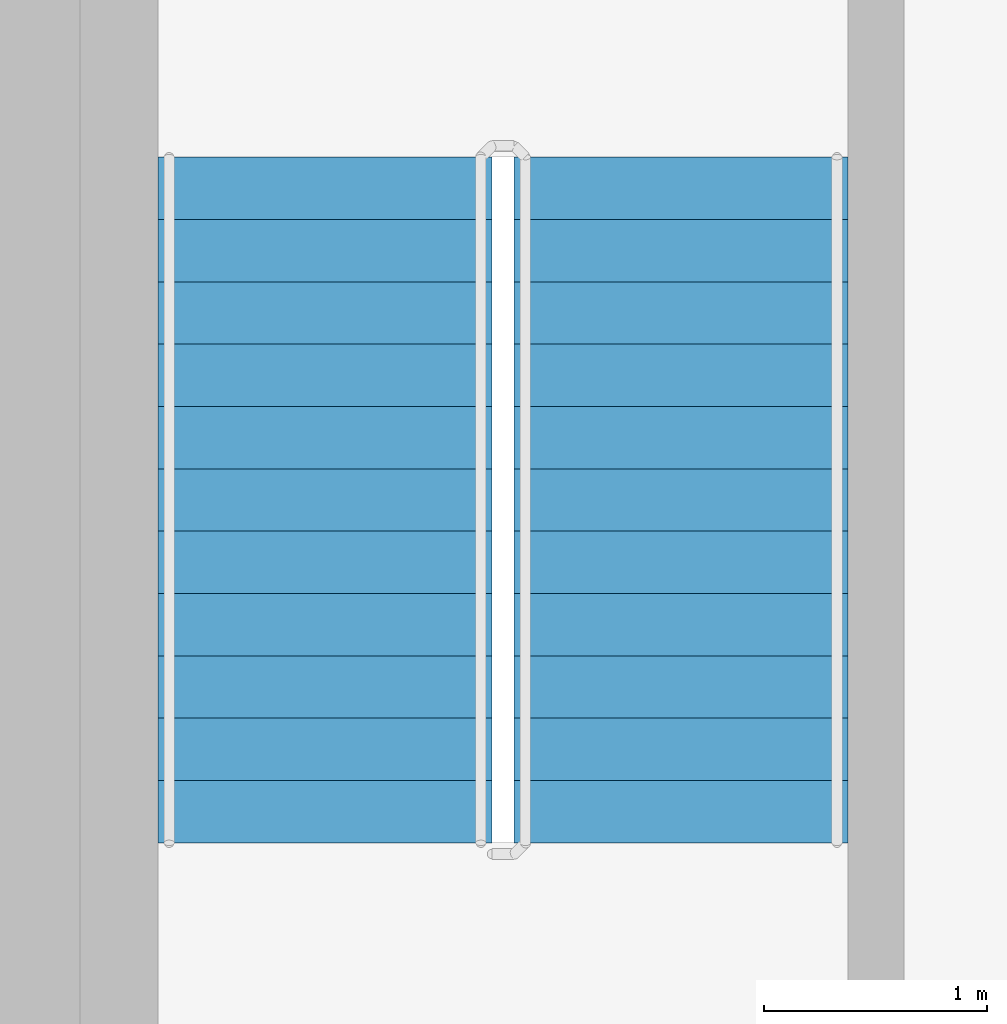
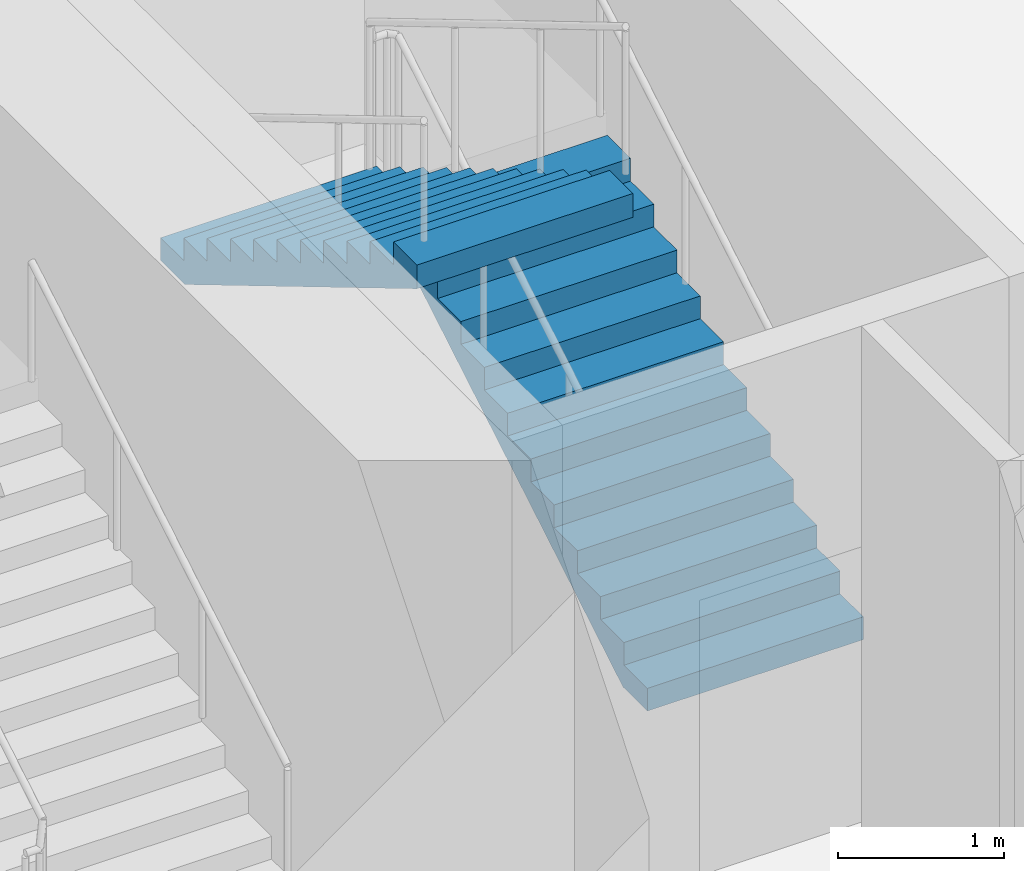
# One storey, part 18 of 26: 2 stair flights, 1 element without a shape of its own.
"""IFC4 building model written with IfcOpenShell, lengths in metres."""

from ifc_helpers import new_model, si_unit, direction, frame, origin, place, context, subcontext, project, spatial, triangles, source, transform, mapped, material, type_object, element, aggregate, save


model = new_model("IFC4")

# Units and contexts
model_context = context("Model", 3, precision=1e-05, world=origin(), true_north=direction((0.0, 1.0)))
body_context = subcontext(model_context, "Body", "Model", "MODEL_VIEW")
ifc_project = project(units=[si_unit("LENGTHUNIT", "METRE"), si_unit("AREAUNIT", "SQUARE_METRE"), si_unit("VOLUMEUNIT", "CUBIC_METRE"), si_unit("PLANEANGLEUNIT", "RADIAN"), si_unit("MASSUNIT", "GRAM", prefix="KILO")], contexts=[model_context])

# Site, building, storey
site_placement = place(None, origin())
site = spatial("IfcSite", under=ifc_project, at=site_placement, CompositionType="ELEMENT")
building_placement = place(site_placement, origin())
building = spatial("IfcBuilding", under=site, at=building_placement, Name="Kilnfold Tower and Market Hall", CompositionType="ELEMENT")
storey_placement = place(building_placement, frame((0.0, 0.0, 104.60009765625)))
storey = spatial("IfcBuildingStorey", under=building, at=storey_placement, Name="L24", CompositionType="ELEMENT", Elevation=104.60009765625)

# Stair, stair flights
ifc_material_1 = material(Name="Concrete C40/50", Category="concrete")
stair_type = type_object("IfcStairType", Name="CORE STAIR 1500", PredefinedType="HALF_TURN_STAIR", material=ifc_material_1)
stair_placement = place(storey_placement, origin())
stair = element("IfcStair", 1, at=stair_placement, inside=storey, type_object=stair_type, Name="L24 ST5", PredefinedType="HALF_TURN_STAIR")
ifc_material_2 = material(Name="Concrete C40/50", Category="concrete")
stair_flight_type = type_object("IfcStairFlightType", Name="CORE STAIR FLIGHT 1500", PredefinedType="STRAIGHT", material=ifc_material_2)
shared_shape = source(origin(), body_context, "Body", "Tessellation", [
    triangles([(0.0, 0.75, 0.0), (0.0, 0.65625, 0.0), (0.0, 0.5625, 0.0), (0.0, 0.46875, 0.0), (0.0, 0.375, 0.0), (0.0, 0.28125, 0.0), (0.0, 0.1875, 0.0), (0.0, 0.09375, 0.0), (0.0, 0.0, 0.0), (0.0, -0.09375, 0.0), (0.0, -0.1875, 0.0), (0.0, -0.28125, 0.0), (0.0, -0.375, 0.0), (0.0, -0.46875, 0.0), (0.0, -0.5625, 0.0), (0.0, -0.65625, 0.0), (0.0, -0.75, 0.0), (0.0, 0.75, 0.166748046875), (0.0, 0.65625, 0.166748046875), (0.0, 0.5625, 0.166748046875), (0.0, 0.46875, 0.166748046875), (0.0, 0.375, 0.166748046875), (0.0, 0.28125, 0.166748046875), (0.0, 0.1875, 0.166748046875), (0.0, 0.09375, 0.166748046875), (0.0, 0.0, 0.166748046875), (0.0, -0.09375, 0.166748046875), (0.0, -0.1875, 0.166748046875), (0.0, -0.28125, 0.166748046875), (0.0, -0.375, 0.166748046875), (0.0, -0.46875, 0.166748046875), (0.0, -0.5625, 0.166748046875), (0.0, -0.65625, 0.166748046875), (0.0, -0.75, 0.166748046875), (0.280029296875, 0.75, 0.166748046875), (0.280029296875, 0.65625, 0.166748046875), (0.280029296875, 0.5625, 0.166748046875), (0.280029296875, 0.46875, 0.166748046875), (0.280029296875, 0.375, 0.166748046875), (0.280029296875, 0.28125, 0.166748046875), (0.280029296875, 0.1875, 0.166748046875), (0.280029296875, 0.09375, 0.166748046875), (0.280029296875, 0.0, 0.166748046875), (0.280029296875, -0.09375, 0.166748046875), (0.280029296875, -0.1875, 0.166748046875), (0.280029296875, -0.28125, 0.166748046875), (0.280029296875, -0.375, 0.166748046875), (0.280029296875, -0.46875, 0.166748046875), (0.280029296875, -0.5625, 0.166748046875), (0.280029296875, -0.65625, 0.166748046875), (0.280029296875, -0.75, 0.166748046875), (0.280029296875, 0.75, 0.333251953125), (0.280029296875, 0.65625, 0.333251953125), (0.280029296875, 0.5625, 0.333251953125), (0.280029296875, 0.46875, 0.333251953125), (0.280029296875, 0.375, 0.333251953125), (0.280029296875, 0.28125, 0.333251953125), (0.280029296875, 0.1875, 0.333251953125), (0.280029296875, 0.09375, 0.333251953125), (0.280029296875, 0.0, 0.333251953125), (0.280029296875, -0.09375, 0.333251953125), (0.280029296875, -0.1875, 0.333251953125), (0.280029296875, -0.28125, 0.333251953125), (0.280029296875, -0.375, 0.333251953125), (0.280029296875, -0.46875, 0.333251953125), (0.280029296875, -0.5625, 0.333251953125), (0.280029296875, -0.65625, 0.333251953125), (0.280029296875, -0.75, 0.333251953125), (0.56005859375, 0.75, 0.333251953125), (0.56005859375, 0.65625, 0.333251953125), (0.56005859375, 0.5625, 0.333251953125), (0.56005859375, 0.46875, 0.333251953125), (0.56005859375, 0.375, 0.333251953125), (0.56005859375, 0.28125, 0.333251953125), (0.56005859375, 0.1875, 0.333251953125), (0.56005859375, 0.09375, 0.333251953125), (0.56005859375, 0.0, 0.333251953125), (0.56005859375, -0.09375, 0.333251953125), (0.56005859375, -0.1875, 0.333251953125), (0.56005859375, -0.28125, 0.333251953125), (0.56005859375, -0.375, 0.333251953125), (0.56005859375, -0.46875, 0.333251953125), (0.56005859375, -0.5625, 0.333251953125), (0.56005859375, -0.65625, 0.333251953125), (0.56005859375, -0.75, 0.333251953125), (0.56005859375, 0.75, 0.5), (0.56005859375, 0.65625, 0.5), (0.56005859375, 0.5625, 0.5), (0.56005859375, 0.46875, 0.5), (0.56005859375, 0.375, 0.5), (0.56005859375, 0.28125, 0.5), (0.56005859375, 0.1875, 0.5), (0.56005859375, 0.09375, 0.5), (0.56005859375, 0.0, 0.5), (0.56005859375, -0.09375, 0.5), (0.56005859375, -0.1875, 0.5), (0.56005859375, -0.28125, 0.5), (0.56005859375, -0.375, 0.5), (0.56005859375, -0.46875, 0.5), (0.56005859375, -0.5625, 0.5), (0.56005859375, -0.65625, 0.5), (0.56005859375, -0.75, 0.5), (0.840087890625, 0.75, 0.5), (0.840087890625, 0.65625, 0.5), (0.840087890625, 0.5625, 0.5), (0.840087890625, 0.46875, 0.5), (0.840087890625, 0.375, 0.5), (0.840087890625, 0.28125, 0.5), (0.840087890625, 0.1875, 0.5), (0.840087890625, 0.09375, 0.5), (0.840087890625, 0.0, 0.5), (0.840087890625, -0.09375, 0.5), (0.840087890625, -0.1875, 0.5), (0.840087890625, -0.28125, 0.5), (0.840087890625, -0.375, 0.5), (0.840087890625, -0.46875, 0.5), (0.840087890625, -0.5625, 0.5), (0.840087890625, -0.65625, 0.5), (0.840087890625, -0.75, 0.5), (0.840087890625, 0.75, 0.666748046875), (0.840087890625, 0.65625, 0.666748046875), (0.840087890625, 0.5625, 0.666748046875), (0.840087890625, 0.46875, 0.666748046875), (0.840087890625, 0.375, 0.666748046875), (0.840087890625, 0.28125, 0.666748046875), (0.840087890625, 0.1875, 0.666748046875), (0.840087890625, 0.09375, 0.666748046875), (0.840087890625, 0.0, 0.666748046875), (0.840087890625, -0.09375, 0.666748046875), (0.840087890625, -0.1875, 0.666748046875), (0.840087890625, -0.28125, 0.666748046875), (0.840087890625, -0.375, 0.666748046875), (0.840087890625, -0.46875, 0.666748046875), (0.840087890625, -0.5625, 0.666748046875), (0.840087890625, -0.65625, 0.666748046875), (0.840087890625, -0.75, 0.666748046875), (1.1201171875, 0.75, 0.666748046875), (1.1201171875, 0.65625, 0.666748046875), (1.1201171875, 0.5625, 0.666748046875), (1.1201171875, 0.46875, 0.666748046875), (1.1201171875, 0.375, 0.666748046875), (1.1201171875, 0.28125, 0.666748046875), (1.1201171875, 0.1875, 0.666748046875), (1.1201171875, 0.09375, 0.666748046875), (1.1201171875, 0.0, 0.666748046875), (1.1201171875, -0.09375, 0.666748046875), (1.1201171875, -0.1875, 0.666748046875), (1.1201171875, -0.28125, 0.666748046875), (1.1201171875, -0.375, 0.666748046875), (1.1201171875, -0.46875, 0.666748046875), (1.1201171875, -0.5625, 0.666748046875), (1.1201171875, -0.65625, 0.666748046875), (1.1201171875, -0.75, 0.666748046875), (1.1201171875, 0.75, 0.833251953125), (1.1201171875, 0.65625, 0.833251953125), (1.1201171875, 0.5625, 0.833251953125), (1.1201171875, 0.46875, 0.833251953125), (1.1201171875, 0.375, 0.833251953125), (1.1201171875, 0.28125, 0.833251953125), (1.1201171875, 0.1875, 0.833251953125), (1.1201171875, 0.09375, 0.833251953125), (1.1201171875, 0.0, 0.833251953125), (1.1201171875, -0.09375, 0.833251953125), (1.1201171875, -0.1875, 0.833251953125), (1.1201171875, -0.28125, 0.833251953125), (1.1201171875, -0.375, 0.833251953125), (1.1201171875, -0.46875, 0.833251953125), (1.1201171875, -0.5625, 0.833251953125), (1.1201171875, -0.65625, 0.833251953125), (1.1201171875, -0.75, 0.833251953125), (1.39990234375, 0.75, 0.833251953125), (1.39990234375, 0.65625, 0.833251953125), (1.39990234375, 0.5625, 0.833251953125), (1.39990234375, 0.46875, 0.833251953125), (1.39990234375, 0.375, 0.833251953125), (1.39990234375, 0.28125, 0.833251953125), (1.39990234375, 0.1875, 0.833251953125), (1.39990234375, 0.09375, 0.833251953125), (1.39990234375, 0.0, 0.833251953125), (1.39990234375, -0.09375, 0.833251953125), (1.39990234375, -0.1875, 0.833251953125), (1.39990234375, -0.28125, 0.833251953125), (1.39990234375, -0.375, 0.833251953125), (1.39990234375, -0.46875, 0.833251953125), (1.39990234375, -0.5625, 0.833251953125), (1.39990234375, -0.65625, 0.833251953125), (1.39990234375, -0.75, 0.833251953125), (1.39990234375, 0.75, 1.0), (1.39990234375, 0.65625, 1.0), (1.39990234375, 0.5625, 1.0), (1.39990234375, 0.46875, 1.0), (1.39990234375, 0.375, 1.0), (1.39990234375, 0.28125, 1.0), (1.39990234375, 0.1875, 1.0), (1.39990234375, 0.09375, 1.0), (1.39990234375, 0.0, 1.0), (1.39990234375, -0.09375, 1.0), (1.39990234375, -0.1875, 1.0), (1.39990234375, -0.28125, 1.0), (1.39990234375, -0.375, 1.0), (1.39990234375, -0.46875, 1.0), (1.39990234375, -0.5625, 1.0), (1.39990234375, -0.65625, 1.0), (1.39990234375, -0.75, 1.0), (1.679931640625, 0.75, 1.0), (1.679931640625, 0.65625, 1.0), (1.679931640625, 0.5625, 1.0), (1.679931640625, 0.46875, 1.0), (1.679931640625, 0.375, 1.0), (1.679931640625, 0.28125, 1.0), (1.679931640625, 0.1875, 1.0), (1.679931640625, 0.09375, 1.0), (1.679931640625, 0.0, 1.0), (1.679931640625, -0.09375, 1.0), (1.679931640625, -0.1875, 1.0), (1.679931640625, -0.28125, 1.0), (1.679931640625, -0.375, 1.0), (1.679931640625, -0.46875, 1.0), (1.679931640625, -0.5625, 1.0), (1.679931640625, -0.65625, 1.0), (1.679931640625, -0.75, 1.0), (1.679931640625, 0.75, 1.166748046875), (1.679931640625, 0.65625, 1.166748046875), (1.679931640625, 0.5625, 1.166748046875), (1.679931640625, 0.46875, 1.166748046875), (1.679931640625, 0.375, 1.166748046875), (1.679931640625, 0.28125, 1.166748046875), (1.679931640625, 0.1875, 1.166748046875), (1.679931640625, 0.09375, 1.166748046875), (1.679931640625, 0.0, 1.166748046875), (1.679931640625, -0.09375, 1.166748046875), (1.679931640625, -0.1875, 1.166748046875), (1.679931640625, -0.28125, 1.166748046875), (1.679931640625, -0.375, 1.166748046875), (1.679931640625, -0.46875, 1.166748046875), (1.679931640625, -0.5625, 1.166748046875), (1.679931640625, -0.65625, 1.166748046875), (1.679931640625, -0.75, 1.166748046875), (1.9599609375, 0.75, 1.166748046875), (1.9599609375, 0.65625, 1.166748046875), (1.9599609375, 0.5625, 1.166748046875), (1.9599609375, 0.46875, 1.166748046875), (1.9599609375, 0.375, 1.166748046875), (1.9599609375, 0.28125, 1.166748046875), (1.9599609375, 0.1875, 1.166748046875), (1.9599609375, 0.09375, 1.166748046875), (1.9599609375, 0.0, 1.166748046875), (1.9599609375, -0.09375, 1.166748046875), (1.9599609375, -0.1875, 1.166748046875), (1.9599609375, -0.28125, 1.166748046875), (1.9599609375, -0.375, 1.166748046875), (1.9599609375, -0.46875, 1.166748046875), (1.9599609375, -0.5625, 1.166748046875), (1.9599609375, -0.65625, 1.166748046875), (1.9599609375, -0.75, 1.166748046875), (1.9599609375, 0.75, 1.333251953125), (1.9599609375, 0.65625, 1.333251953125), (1.9599609375, 0.5625, 1.333251953125), (1.9599609375, 0.46875, 1.333251953125), (1.9599609375, 0.375, 1.333251953125), (1.9599609375, 0.28125, 1.333251953125), (1.9599609375, 0.1875, 1.333251953125), (1.9599609375, 0.09375, 1.333251953125), (1.9599609375, 0.0, 1.333251953125), (1.9599609375, -0.09375, 1.333251953125), (1.9599609375, -0.1875, 1.333251953125), (1.9599609375, -0.28125, 1.333251953125), (1.9599609375, -0.375, 1.333251953125), (1.9599609375, -0.46875, 1.333251953125), (1.9599609375, -0.5625, 1.333251953125), (1.9599609375, -0.65625, 1.333251953125), (1.9599609375, -0.75, 1.333251953125), (2.239990234375, 0.75, 1.333251953125), (2.239990234375, 0.65625, 1.333251953125), (2.239990234375, 0.5625, 1.333251953125), (2.239990234375, 0.46875, 1.333251953125), (2.239990234375, 0.375, 1.333251953125), (2.239990234375, 0.28125, 1.333251953125), (2.239990234375, 0.1875, 1.333251953125), (2.239990234375, 0.09375, 1.333251953125), (2.239990234375, 0.0, 1.333251953125), (2.239990234375, -0.09375, 1.333251953125), (2.239990234375, -0.1875, 1.333251953125), (2.239990234375, -0.28125, 1.333251953125), (2.239990234375, -0.375, 1.333251953125), (2.239990234375, -0.46875, 1.333251953125), (2.239990234375, -0.5625, 1.333251953125), (2.239990234375, -0.65625, 1.333251953125), (2.239990234375, -0.75, 1.333251953125), (2.239990234375, 0.75, 1.5), (2.239990234375, 0.65625, 1.5), (2.239990234375, 0.5625, 1.5), (2.239990234375, 0.46875, 1.5), (2.239990234375, 0.375, 1.5), (2.239990234375, 0.28125, 1.5), (2.239990234375, 0.1875, 1.5), (2.239990234375, 0.09375, 1.5), (2.239990234375, 0.0, 1.5), (2.239990234375, -0.09375, 1.5), (2.239990234375, -0.1875, 1.5), (2.239990234375, -0.28125, 1.5), (2.239990234375, -0.375, 1.5), (2.239990234375, -0.46875, 1.5), (2.239990234375, -0.5625, 1.5), (2.239990234375, -0.65625, 1.5), (2.239990234375, -0.75, 1.5), (2.52001953125, 0.75, 1.5), (2.52001953125, 0.65625, 1.5), (2.52001953125, 0.5625, 1.5), (2.52001953125, 0.46875, 1.5), (2.52001953125, 0.375, 1.5), (2.52001953125, 0.28125, 1.5), (2.52001953125, 0.1875, 1.5), (2.52001953125, 0.09375, 1.5), (2.52001953125, 0.0, 1.5), (2.52001953125, -0.09375, 1.5), (2.52001953125, -0.1875, 1.5), (2.52001953125, -0.28125, 1.5), (2.52001953125, -0.375, 1.5), (2.52001953125, -0.46875, 1.5), (2.52001953125, -0.5625, 1.5), (2.52001953125, -0.65625, 1.5), (2.52001953125, -0.75, 1.5), (2.52001953125, 0.75, 1.666748046875), (2.52001953125, 0.65625, 1.666748046875), (2.52001953125, 0.5625, 1.666748046875), (2.52001953125, 0.46875, 1.666748046875), (2.52001953125, 0.375, 1.666748046875), (2.52001953125, 0.28125, 1.666748046875), (2.52001953125, 0.1875, 1.666748046875), (2.52001953125, 0.09375, 1.666748046875), (2.52001953125, 0.0, 1.666748046875), (2.52001953125, -0.09375, 1.666748046875), (2.52001953125, -0.1875, 1.666748046875), (2.52001953125, -0.28125, 1.666748046875), (2.52001953125, -0.375, 1.666748046875), (2.52001953125, -0.46875, 1.666748046875), (2.52001953125, -0.5625, 1.666748046875), (2.52001953125, -0.65625, 1.666748046875), (2.52001953125, -0.75, 1.666748046875), (2.800048828125, 0.75, 1.666748046875), (2.800048828125, 0.65625, 1.666748046875), (2.800048828125, 0.5625, 1.666748046875), (2.800048828125, 0.46875, 1.666748046875), (2.800048828125, 0.375, 1.666748046875), (2.800048828125, 0.28125, 1.666748046875), (2.800048828125, 0.1875, 1.666748046875), (2.800048828125, 0.09375, 1.666748046875), (2.800048828125, 0.0, 1.666748046875), (2.800048828125, -0.09375, 1.666748046875), (2.800048828125, -0.1875, 1.666748046875), (2.800048828125, -0.28125, 1.666748046875), (2.800048828125, -0.375, 1.666748046875), (2.800048828125, -0.46875, 1.666748046875), (2.800048828125, -0.5625, 1.666748046875), (2.800048828125, -0.65625, 1.666748046875), (2.800048828125, -0.75, 1.666748046875), (2.800048828125, 0.75, 1.833251953125), (2.800048828125, 0.65625, 1.833251953125), (2.800048828125, 0.5625, 1.833251953125), (2.800048828125, 0.46875, 1.833251953125), (2.800048828125, 0.375, 1.833251953125), (2.800048828125, 0.28125, 1.833251953125), (2.800048828125, 0.1875, 1.833251953125), (2.800048828125, 0.09375, 1.833251953125), (2.800048828125, 0.0, 1.833251953125), (2.800048828125, -0.09375, 1.833251953125), (2.800048828125, -0.1875, 1.833251953125), (2.800048828125, -0.28125, 1.833251953125), (2.800048828125, -0.375, 1.833251953125), (2.800048828125, -0.46875, 1.833251953125), (2.800048828125, -0.5625, 1.833251953125), (2.800048828125, -0.65625, 1.833251953125), (2.800048828125, -0.75, 1.833251953125), (3.080078125, 0.75, 1.833251953125), (3.080078125, 0.65625, 1.833251953125), (3.080078125, 0.5625, 1.833251953125), (3.080078125, 0.46875, 1.833251953125), (3.080078125, 0.375, 1.833251953125), (3.080078125, 0.28125, 1.833251953125), (3.080078125, 0.1875, 1.833251953125), (3.080078125, 0.09375, 1.833251953125), (3.080078125, 0.0, 1.833251953125), (3.080078125, -0.09375, 1.833251953125), (3.080078125, -0.1875, 1.833251953125), (3.080078125, -0.28125, 1.833251953125), (3.080078125, -0.375, 1.833251953125), (3.080078125, -0.46875, 1.833251953125), (3.080078125, -0.5625, 1.833251953125), (3.080078125, -0.65625, 1.833251953125), (3.080078125, -0.75, 1.833251953125), (3.080078125, 0.75, 1.658935546875), (3.080078125, 0.65625, 1.658935546875), (3.080078125, 0.5625, 1.658935546875), (3.080078125, 0.46875, 1.658935546875), (3.080078125, 0.375, 1.658935546875), (3.080078125, 0.28125, 1.658935546875), (3.080078125, 0.1875, 1.658935546875), (3.080078125, 0.09375, 1.658935546875), (3.080078125, 0.0, 1.658935546875), (3.080078125, -0.09375, 1.658935546875), (3.080078125, -0.1875, 1.658935546875), (3.080078125, -0.28125, 1.658935546875), (3.080078125, -0.375, 1.658935546875), (3.080078125, -0.46875, 1.658935546875), (3.080078125, -0.5625, 1.658935546875), (3.080078125, -0.65625, 1.658935546875), (3.080078125, -0.75, 1.658935546875), (0.29296875, 0.75, 0.0), (0.29296875, 0.65625, 0.0), (0.29296875, 0.5625, 0.0), (0.29296875, 0.46875, 0.0), (0.29296875, 0.375, 0.0), (0.29296875, 0.28125, 0.0), (0.29296875, 0.1875, 0.0), (0.29296875, 0.09375, 0.0), (0.29296875, 0.0, 0.0), (0.29296875, -0.09375, 0.0), (0.29296875, -0.1875, 0.0), (0.29296875, -0.28125, 0.0), (0.29296875, -0.375, 0.0), (0.29296875, -0.46875, 0.0), (0.29296875, -0.5625, 0.0), (0.29296875, -0.65625, 0.0), (0.29296875, -0.75, 0.0)], [[1, 392, 409], [17, 425, 408], [392, 358, 375], [408, 391, 374], [392, 341, 358], [408, 374, 357], [392, 324, 341], [408, 357, 340], [392, 307, 324], [408, 340, 323], [307, 273, 290], [323, 306, 289], [392, 273, 307], [408, 323, 289], [273, 239, 256], [289, 272, 255], [392, 239, 273], [408, 289, 255], [239, 205, 222], [255, 238, 221], [392, 205, 239], [408, 255, 221], [205, 171, 188], [221, 204, 187], [392, 171, 205], [408, 221, 187], [171, 137, 154], [187, 170, 153], [392, 137, 171], [408, 187, 153], [137, 103, 120], [153, 136, 119], [392, 103, 137], [408, 153, 119], [103, 69, 86], [119, 102, 85], [392, 69, 103], [408, 119, 85], [1, 69, 392], [17, 408, 85], [69, 35, 52], [85, 68, 51], [1, 35, 69], [17, 85, 51], [35, 1, 18], [51, 34, 17], [1, 19, 18], [1, 2, 19], [2, 20, 19], [2, 3, 20], [3, 21, 20], [3, 4, 21], [4, 22, 21], [4, 5, 22], [5, 23, 22], [5, 6, 23], [6, 24, 23], [6, 7, 24], [7, 25, 24], [7, 8, 25], [8, 26, 25], [8, 9, 26], [9, 27, 26], [9, 10, 27], [10, 28, 27], [10, 11, 28], [11, 29, 28], [11, 12, 29], [12, 30, 29], [12, 13, 30], [13, 31, 30], [13, 14, 31], [14, 32, 31], [14, 15, 32], [15, 33, 32], [15, 16, 33], [16, 34, 33], [16, 17, 34], [18, 36, 35], [18, 19, 36], [19, 37, 36], [19, 20, 37], [20, 38, 37], [20, 21, 38], [21, 39, 38], [21, 22, 39], [22, 40, 39], [22, 23, 40], [23, 41, 40], [23, 24, 41], [24, 42, 41], [24, 25, 42], [25, 43, 42], [25, 26, 43], [26, 44, 43], [26, 27, 44], [27, 45, 44], [27, 28, 45], [28, 46, 45], [28, 29, 46], [29, 47, 46], [29, 30, 47], [30, 48, 47], [30, 31, 48], [31, 49, 48], [31, 32, 49], [32, 50, 49], [32, 33, 50], [33, 51, 50], [33, 34, 51], [35, 53, 52], [35, 36, 53], [36, 54, 53], [36, 37, 54], [37, 55, 54], [37, 38, 55], [38, 56, 55], [38, 39, 56], [39, 57, 56], [39, 40, 57], [40, 58, 57], [40, 41, 58], [41, 59, 58], [41, 42, 59], [42, 60, 59], [42, 43, 60], [43, 61, 60], [43, 44, 61], [44, 62, 61], [44, 45, 62], [45, 63, 62], [45, 46, 63], [46, 64, 63], [46, 47, 64], [47, 65, 64], [47, 48, 65], [48, 66, 65], [48, 49, 66], [49, 67, 66], [49, 50, 67], [50, 68, 67], [50, 51, 68], [52, 70, 69], [52, 53, 70], [53, 71, 70], [53, 54, 71], [54, 72, 71], [54, 55, 72], [55, 73, 72], [55, 56, 73], [56, 74, 73], [56, 57, 74], [57, 75, 74], [57, 58, 75], [58, 76, 75], [58, 59, 76], [59, 77, 76], [59, 60, 77], [60, 78, 77], [60, 61, 78], [61, 79, 78], [61, 62, 79], [62, 80, 79], [62, 63, 80], [63, 81, 80], [63, 64, 81], [64, 82, 81], [64, 65, 82], [65, 83, 82], [65, 66, 83], [66, 84, 83], [66, 67, 84], [67, 85, 84], [67, 68, 85], [69, 87, 86], [69, 70, 87], [70, 88, 87], [70, 71, 88], [71, 89, 88], [71, 72, 89], [72, 90, 89], [72, 73, 90], [73, 91, 90], [73, 74, 91], [74, 92, 91], [74, 75, 92], [75, 93, 92], [75, 76, 93], [76, 94, 93], [76, 77, 94], [77, 95, 94], [77, 78, 95], [78, 96, 95], [78, 79, 96], [79, 97, 96], [79, 80, 97], [80, 98, 97], [80, 81, 98], [81, 99, 98], [81, 82, 99], [82, 100, 99], [82, 83, 100], [83, 101, 100], [83, 84, 101], [84, 102, 101], [84, 85, 102], [86, 104, 103], [86, 87, 104], [87, 105, 104], [87, 88, 105], [88, 106, 105], [88, 89, 106], [89, 107, 106], [89, 90, 107], [90, 108, 107], [90, 91, 108], [91, 109, 108], [91, 92, 109], [92, 110, 109], [92, 93, 110], [93, 111, 110], [93, 94, 111], [94, 112, 111], [94, 95, 112], [95, 113, 112], [95, 96, 113], [96, 114, 113], [96, 97, 114], [97, 115, 114], [97, 98, 115], [98, 116, 115], [98, 99, 116], [99, 117, 116], [99, 100, 117], [100, 118, 117], [100, 101, 118], [101, 119, 118], [101, 102, 119], [103, 121, 120], [103, 104, 121], [104, 122, 121], [104, 105, 122], [105, 123, 122], [105, 106, 123], [106, 124, 123], [106, 107, 124], [107, 125, 124], [107, 108, 125], [108, 126, 125], [108, 109, 126], [109, 127, 126], [109, 110, 127], [110, 128, 127], [110, 111, 128], [111, 129, 128], [111, 112, 129], [112, 130, 129], [112, 113, 130], [113, 131, 130], [113, 114, 131], [114, 132, 131], [114, 115, 132], [115, 133, 132], [115, 116, 133], [116, 134, 133], [116, 117, 134], [117, 135, 134], [117, 118, 135], [118, 136, 135], [118, 119, 136], [120, 138, 137], [120, 121, 138], [121, 139, 138], [121, 122, 139], [122, 140, 139], [122, 123, 140], [123, 141, 140], [123, 124, 141], [124, 142, 141], [124, 125, 142], [125, 143, 142], [125, 126, 143], [126, 144, 143], [126, 127, 144], [127, 145, 144], [127, 128, 145], [128, 146, 145], [128, 129, 146], [129, 147, 146], [129, 130, 147], [130, 148, 147], [130, 131, 148], [131, 149, 148], [131, 132, 149], [132, 150, 149], [132, 133, 150], [133, 151, 150], [133, 134, 151], [134, 152, 151], [134, 135, 152], [135, 153, 152], [135, 136, 153], [137, 155, 154], [137, 138, 155], [138, 156, 155], [138, 139, 156], [139, 157, 156], [139, 140, 157], [140, 158, 157], [140, 141, 158], [141, 159, 158], [141, 142, 159], [142, 160, 159], [142, 143, 160], [143, 161, 160], [143, 144, 161], [144, 162, 161], [144, 145, 162], [145, 163, 162], [145, 146, 163], [146, 164, 163], [146, 147, 164], [147, 165, 164], [147, 148, 165], [148, 166, 165], [148, 149, 166], [149, 167, 166], [149, 150, 167], [150, 168, 167], [150, 151, 168], [151, 169, 168], [151, 152, 169], [152, 170, 169], [152, 153, 170], [154, 172, 171], [154, 155, 172], [155, 173, 172], [155, 156, 173], [156, 174, 173], [156, 157, 174], [157, 175, 174], [157, 158, 175], [158, 176, 175], [158, 159, 176], [159, 177, 176], [159, 160, 177], [160, 178, 177], [160, 161, 178], [161, 179, 178], [161, 162, 179], [162, 180, 179], [162, 163, 180], [163, 181, 180], [163, 164, 181], [164, 182, 181], [164, 165, 182], [165, 183, 182], [165, 166, 183], [166, 184, 183], [166, 167, 184], [167, 185, 184], [167, 168, 185], [168, 186, 185], [168, 169, 186], [169, 187, 186], [169, 170, 187], [171, 189, 188], [171, 172, 189], [172, 190, 189], [172, 173, 190], [173, 191, 190], [173, 174, 191], [174, 192, 191], [174, 175, 192], [175, 193, 192], [175, 176, 193], [176, 194, 193], [176, 177, 194], [177, 195, 194], [177, 178, 195], [178, 196, 195], [178, 179, 196], [179, 197, 196], [179, 180, 197], [180, 198, 197], [180, 181, 198], [181, 199, 198], [181, 182, 199], [182, 200, 199], [182, 183, 200], [183, 201, 200], [183, 184, 201], [184, 202, 201], [184, 185, 202], [185, 203, 202], [185, 186, 203], [186, 204, 203], [186, 187, 204], [188, 206, 205], [188, 189, 206], [189, 207, 206], [189, 190, 207], [190, 208, 207], [190, 191, 208], [191, 209, 208], [191, 192, 209], [192, 210, 209], [192, 193, 210], [193, 211, 210], [193, 194, 211], [194, 212, 211], [194, 195, 212], [195, 213, 212], [195, 196, 213], [196, 214, 213], [196, 197, 214], [197, 215, 214], [197, 198, 215], [198, 216, 215], [198, 199, 216], [199, 217, 216], [199, 200, 217], [200, 218, 217], [200, 201, 218], [201, 219, 218], [201, 202, 219], [202, 220, 219], [202, 203, 220], [203, 221, 220], [203, 204, 221], [205, 223, 222], [205, 206, 223], [206, 224, 223], [206, 207, 224], [207, 225, 224], [207, 208, 225], [208, 226, 225], [208, 209, 226], [209, 227, 226], [209, 210, 227], [210, 228, 227], [210, 211, 228], [211, 229, 228], [211, 212, 229], [212, 230, 229], [212, 213, 230], [213, 231, 230], [213, 214, 231], [214, 232, 231], [214, 215, 232], [215, 233, 232], [215, 216, 233], [216, 234, 233], [216, 217, 234], [217, 235, 234], [217, 218, 235], [218, 236, 235], [218, 219, 236], [219, 237, 236], [219, 220, 237], [220, 238, 237], [220, 221, 238], [222, 240, 239], [222, 223, 240], [223, 241, 240], [223, 224, 241], [224, 242, 241], [224, 225, 242], [225, 243, 242], [225, 226, 243], [226, 244, 243], [226, 227, 244], [227, 245, 244], [227, 228, 245], [228, 246, 245], [228, 229, 246], [229, 247, 246], [229, 230, 247], [230, 248, 247], [230, 231, 248], [231, 249, 248], [231, 232, 249], [232, 250, 249], [232, 233, 250], [233, 251, 250], [233, 234, 251], [234, 252, 251], [234, 235, 252], [235, 253, 252], [235, 236, 253], [236, 254, 253], [236, 237, 254], [237, 255, 254], [237, 238, 255], [239, 257, 256], [239, 240, 257], [240, 258, 257], [240, 241, 258], [241, 259, 258], [241, 242, 259], [242, 260, 259], [242, 243, 260], [243, 261, 260], [243, 244, 261], [244, 262, 261], [244, 245, 262], [245, 263, 262], [245, 246, 263], [246, 264, 263], [246, 247, 264], [247, 265, 264], [247, 248, 265], [248, 266, 265], [248, 249, 266], [249, 267, 266], [249, 250, 267], [250, 268, 267], [250, 251, 268], [251, 269, 268], [251, 252, 269], [252, 270, 269], [252, 253, 270], [253, 271, 270], [253, 254, 271], [254, 272, 271], [254, 255, 272], [256, 274, 273], [256, 257, 274], [257, 275, 274], [257, 258, 275], [258, 276, 275], [258, 259, 276], [259, 277, 276], [259, 260, 277], [260, 278, 277], [260, 261, 278], [261, 279, 278], [261, 262, 279], [262, 280, 279], [262, 263, 280], [263, 281, 280], [263, 264, 281], [264, 282, 281], [264, 265, 282], [265, 283, 282], [265, 266, 283], [266, 284, 283], [266, 267, 284], [267, 285, 284], [267, 268, 285], [268, 286, 285], [268, 269, 286], [269, 287, 286], [269, 270, 287], [270, 288, 287], [270, 271, 288], [271, 289, 288], [271, 272, 289], [273, 291, 290], [273, 274, 291], [274, 292, 291], [274, 275, 292], [275, 293, 292], [275, 276, 293], [276, 294, 293], [276, 277, 294], [277, 295, 294], [277, 278, 295], [278, 296, 295], [278, 279, 296], [279, 297, 296], [279, 280, 297], [280, 298, 297], [280, 281, 298], [281, 299, 298], [281, 282, 299], [282, 300, 299], [282, 283, 300], [283, 301, 300], [283, 284, 301], [284, 302, 301], [284, 285, 302], [285, 303, 302], [285, 286, 303], [286, 304, 303], [286, 287, 304], [287, 305, 304], [287, 288, 305], [288, 306, 305], [288, 289, 306], [290, 308, 307], [290, 291, 308], [291, 309, 308], [291, 292, 309], [292, 310, 309], [292, 293, 310], [293, 311, 310], [293, 294, 311], [294, 312, 311], [294, 295, 312], [295, 313, 312], [295, 296, 313], [296, 314, 313], [296, 297, 314], [297, 315, 314], [297, 298, 315], [298, 316, 315], [298, 299, 316], [299, 317, 316], [299, 300, 317], [300, 318, 317], [300, 301, 318], [301, 319, 318], [301, 302, 319], [302, 320, 319], [302, 303, 320], [303, 321, 320], [303, 304, 321], [304, 322, 321], [304, 305, 322], [305, 323, 322], [305, 306, 323], [307, 325, 324], [307, 308, 325], [308, 326, 325], [308, 309, 326], [309, 327, 326], [309, 310, 327], [310, 328, 327], [310, 311, 328], [311, 329, 328], [311, 312, 329], [312, 330, 329], [312, 313, 330], [313, 331, 330], [313, 314, 331], [314, 332, 331], [314, 315, 332], [315, 333, 332], [315, 316, 333], [316, 334, 333], [316, 317, 334], [317, 335, 334], [317, 318, 335], [318, 336, 335], [318, 319, 336], [319, 337, 336], [319, 320, 337], [320, 338, 337], [320, 321, 338], [321, 339, 338], [321, 322, 339], [322, 340, 339], [322, 323, 340], [324, 342, 341], [324, 325, 342], [325, 343, 342], [325, 326, 343], [326, 344, 343], [326, 327, 344], [327, 345, 344], [327, 328, 345], [328, 346, 345], [328, 329, 346], [329, 347, 346], [329, 330, 347], [330, 348, 347], [330, 331, 348], [331, 349, 348], [331, 332, 349], [332, 350, 349], [332, 333, 350], [333, 351, 350], [333, 334, 351], [334, 352, 351], [334, 335, 352], [335, 353, 352], [335, 336, 353], [336, 354, 353], [336, 337, 354], [337, 355, 354], [337, 338, 355], [338, 356, 355], [338, 339, 356], [339, 357, 356], [339, 340, 357], [341, 359, 358], [341, 342, 359], [342, 360, 359], [342, 343, 360], [343, 361, 360], [343, 344, 361], [344, 362, 361], [344, 345, 362], [345, 363, 362], [345, 346, 363], [346, 364, 363], [346, 347, 364], [347, 365, 364], [347, 348, 365], [348, 366, 365], [348, 349, 366], [349, 367, 366], [349, 350, 367], [350, 368, 367], [350, 351, 368], [351, 369, 368], [351, 352, 369], [352, 370, 369], [352, 353, 370], [353, 371, 370], [353, 354, 371], [354, 372, 371], [354, 355, 372], [355, 373, 372], [355, 356, 373], [356, 374, 373], [356, 357, 374], [358, 376, 375], [358, 359, 376], [359, 377, 376], [359, 360, 377], [360, 378, 377], [360, 361, 378], [361, 379, 378], [361, 362, 379], [362, 380, 379], [362, 363, 380], [363, 381, 380], [363, 364, 381], [364, 382, 381], [364, 365, 382], [365, 383, 382], [365, 366, 383], [366, 384, 383], [366, 367, 384], [367, 385, 384], [367, 368, 385], [368, 386, 385], [368, 369, 386], [369, 387, 386], [369, 370, 387], [370, 388, 387], [370, 371, 388], [371, 389, 388], [371, 372, 389], [372, 390, 389], [372, 373, 390], [373, 391, 390], [373, 374, 391], [375, 393, 392], [375, 376, 393], [376, 394, 393], [376, 377, 394], [377, 395, 394], [377, 378, 395], [378, 396, 395], [378, 379, 396], [379, 397, 396], [379, 380, 397], [380, 398, 397], [380, 381, 398], [381, 399, 398], [381, 382, 399], [382, 400, 399], [382, 383, 400], [383, 401, 400], [383, 384, 401], [384, 402, 401], [384, 385, 402], [385, 403, 402], [385, 386, 403], [386, 404, 403], [386, 387, 404], [387, 405, 404], [387, 388, 405], [388, 406, 405], [388, 389, 406], [389, 407, 406], [389, 390, 407], [390, 408, 407], [390, 391, 408], [392, 410, 409], [392, 393, 410], [393, 411, 410], [393, 394, 411], [394, 412, 411], [394, 395, 412], [395, 413, 412], [395, 396, 413], [396, 414, 413], [396, 397, 414], [397, 415, 414], [397, 398, 415], [398, 416, 415], [398, 399, 416], [399, 417, 416], [399, 400, 417], [400, 418, 417], [400, 401, 418], [401, 419, 418], [401, 402, 419], [402, 420, 419], [402, 403, 420], [403, 421, 420], [403, 404, 421], [404, 422, 421], [404, 405, 422], [405, 423, 422], [405, 406, 423], [406, 424, 423], [406, 407, 424], [407, 425, 424], [407, 408, 425], [409, 2, 1], [409, 410, 2], [410, 3, 2], [410, 411, 3], [411, 4, 3], [411, 412, 4], [412, 5, 4], [412, 413, 5], [413, 6, 5], [413, 414, 6], [414, 7, 6], [414, 415, 7], [415, 8, 7], [415, 416, 8], [416, 9, 8], [416, 417, 9], [417, 10, 9], [417, 418, 10], [418, 11, 10], [418, 419, 11], [419, 12, 11], [419, 420, 12], [420, 13, 12], [420, 421, 13], [421, 14, 13], [421, 422, 14], [422, 15, 14], [422, 423, 15], [423, 16, 15], [423, 424, 16], [424, 17, 16], [424, 425, 17]], closed=True),
])
stair_flight_1_placement = place(storey_placement, frame((20.699951171875, 11.5, 0.0), z_axis=(0.0, 0.0, 1.0), x_axis=(0.0, 1.0, 0.0)))
stair_flight_1 = element("IfcStairFlight", 2, at=stair_flight_1_placement, type_object=stair_flight_type, Name="ST5 flight 1", NumberOfRisers=12, NumberOfTreads=11, PredefinedType="STRAIGHT", RiserHeight=0.166666667, TreadLength=0.28, context=body_context, shape_type="MappedRepresentation", body=[
    mapped(shared_shape, transform((0.0, 0.0, 0.0))),
])
stair_flight_2_placement = place(storey_placement, frame((19.10009765625, 14.580078125, 2.0), z_axis=(0.0, 0.0, 1.0), x_axis=(0.0, -1.0, 0.0)))
stair_flight_2 = element("IfcStairFlight", 3, at=stair_flight_2_placement, type_object=stair_flight_type, Name="ST5 flight 2", NumberOfRisers=12, NumberOfTreads=11, PredefinedType="STRAIGHT", RiserHeight=0.166666667, TreadLength=0.28, context=body_context, shape_type="MappedRepresentation", body=[
    mapped(shared_shape, transform((0.0, 0.0, 0.0))),
])
aggregate(stair, [stair_flight_1, stair_flight_2])

save(model, "model.ifc")
